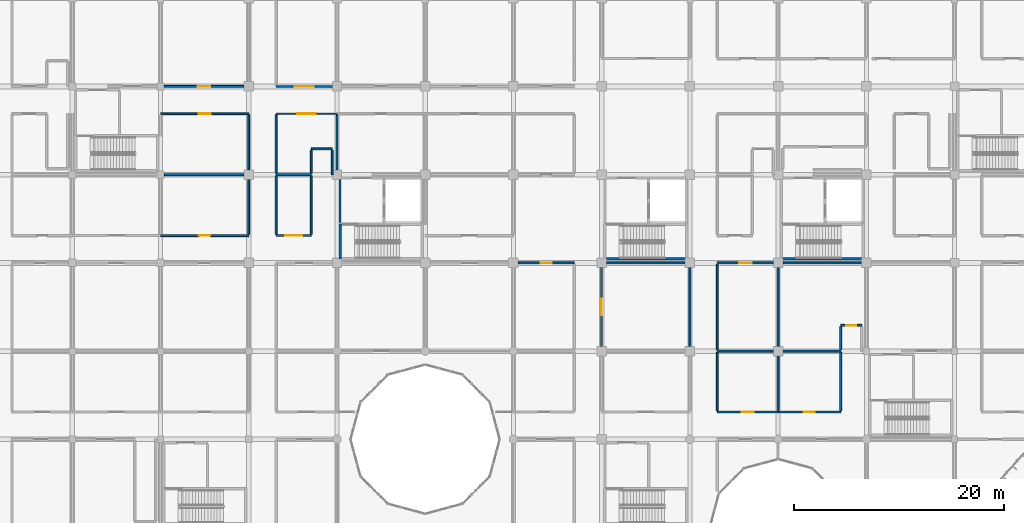
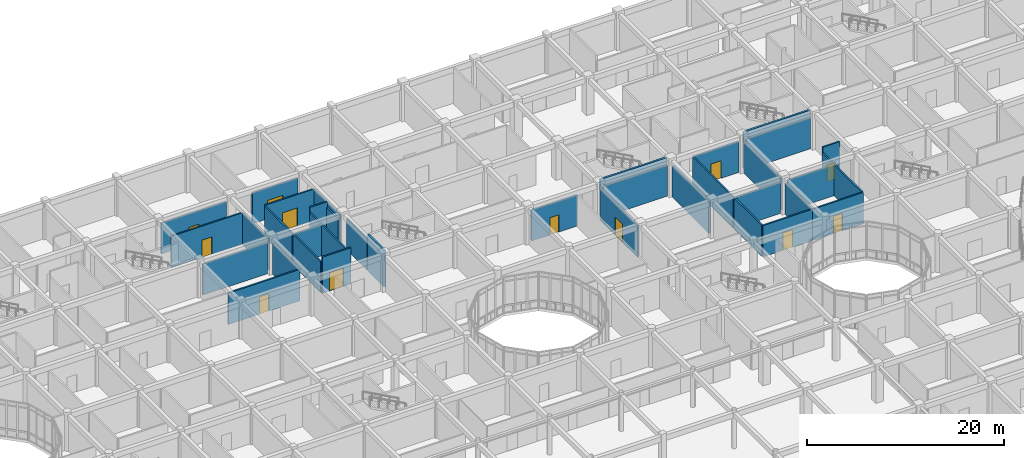
# One storey, part 104 of 138: 38 walls, 12 doors, 12 openings.
"""IFC4 building model written with IfcOpenShell, lengths in metres."""

from ifc_helpers import new_model, si_unit, direction, frame, frame_2d, origin, place, context, subcontext, project, spatial, rectangle, extrude, material, layer, layer_set, type_object, element, fill, save


model = new_model("IFC4")

# Units and contexts
model_context = context("Model", 3, precision=1e-05, world=origin(), true_north=direction((0.0, 1.0)))
body_context = subcontext(model_context, "Body", "Model", "MODEL_VIEW")
ifc_project = project(units=[si_unit("LENGTHUNIT", "METRE"), si_unit("AREAUNIT", "SQUARE_METRE"), si_unit("VOLUMEUNIT", "CUBIC_METRE"), si_unit("PLANEANGLEUNIT", "RADIAN"), si_unit("MASSUNIT", "GRAM", prefix="KILO")], contexts=[model_context])

# Site, building, storey
site_placement = place(None, origin())
site = spatial("IfcSite", under=ifc_project, at=site_placement, CompositionType="ELEMENT")
building_placement = place(site_placement, origin())
building = spatial("IfcBuilding", under=site, at=building_placement, Name="Bramfleet General Hospital", CompositionType="ELEMENT")
storey_placement = place(building_placement, origin())
storey = spatial("IfcBuildingStorey", under=building, at=storey_placement, Name="L00", CompositionType="ELEMENT", Elevation=0.0)

# Wall
ifc_material_1 = material(Name="Concrete C35/45", Category="concrete")
ifc_layer_1 = layer(ifc_material_1, 0.205078125, Name="WT-IW-02")
ifc_layer_set_1 = layer_set([ifc_layer_1], Name="Concrete C35/45")
wall_type_1 = type_object("IfcWallType", Name="WT-IW-02", PredefinedType="PARTITIONING", material=ifc_layer_set_1)
wall_1_placement = place(storey_placement, frame((75.89990234375, 96.239990234375, 0.0), z_axis=(0.0, 0.0, 1.0), x_axis=(0.0, 1.0, 0.0)))
element("IfcWall", 1, at=wall_1_placement, inside=storey, type_object=wall_type_1, Name="L00 C5 Lobby West Compartment Wall", PredefinedType="PARTITIONING", context=body_context, shape_type="SweptSolid", body=[
    extrude(rectangle(XDim=4.1201171875, YDim=0.205078125, at=frame_2d((2.06005859375, 0.0))), origin(), (0.0, 0.0, 1.0), 3.889892578125),
])

# Wall, opening, door
ifc_layer_2 = layer(ifc_material_1, 0.179931640625, Name="WT-IW-04")
ifc_layer_set_2 = layer_set([ifc_layer_2], Name="Concrete C35/45")
wall_type_2 = type_object("IfcWallType", Name="WT-IW-04", PredefinedType="PARTITIONING", material=ifc_layer_set_2)
wall_2_placement = place(storey_placement, frame((111.800048828125, 78.199951171875, 0.0), z_axis=(0.0, 0.0, 1.0), x_axis=(1.0, 0.0, 0.0)))
wall_2 = element("IfcWall", 2, at=wall_2_placement, inside=storey, type_object=wall_type_2, Name="L00 Interior Partition IW-L00-0777", PredefinedType="PARTITIONING", context=body_context, shape_type="SweptSolid", body=[
    extrude(rectangle(XDim=5.800048828125, YDim=0.179931640625, at=frame_2d((2.89990234375, 0.0))), origin(), (0.0, 0.0, 1.0), 3.889892578125),
])
opening_1_placement = place(wall_2_placement, frame((2.340087890625, 0.0, 0.0)))
opening_1 = element("IfcOpeningElement", 3, at=opening_1_placement, cuts=wall_2, Name="Opening D0539", PredefinedType="OPENING", context=body_context, shape_type="SweptSolid", body=[
    extrude(rectangle(XDim=1.1201171875, YDim=2.179931640625, at=frame_2d((0.56005859375, 1.08984375))), frame((0.0, 0.099853515625, 0.0), z_axis=(0.0, -1.0, 0.0), x_axis=(1.0, 0.0, 0.0)), (0.0, 0.0, 1.0), 0.199951171875),
])
ifc_material_2 = material(Name="Stainless steel and acoustic timber leaf", Category="steel")
door_type_1 = type_object("IfcDoorType", Name="DR-D-27", OperationType="NOTDEFINED", PredefinedType="DOOR", material=ifc_material_2)
door_1_placement = place(opening_1_placement, origin())
door_1 = element("IfcDoor", 4, at=door_1_placement, inside=storey, type_object=door_type_1, Name="Diagnostic Ultrasound and Fluoroscopy 1309 Door D0539", OperationType="SINGLE_SWING_RIGHT", OverallHeight=2.179931640625, OverallWidth=1.1201171875, PredefinedType="DOOR", context=body_context, shape_type="SweptSolid", body=[
    extrude(rectangle(XDim=1.1201171875, YDim=2.179931640625, at=frame_2d((0.56005859375, 1.08984375))), frame((0.0, 0.02490234375, 0.0), z_axis=(0.0, -1.0, 0.0), x_axis=(1.0, 0.0, 0.0)), (0.0, 0.0, 1.0), 0.050048828125),
])
fill(opening_1, door_1)

wall_3_placement = place(storey_placement, frame((117.60009765625, 78.199951171875, 0.0), z_axis=(0.0, 0.0, 1.0), x_axis=(1.0, 0.0, 0.0)))
wall_3 = element("IfcWall", 5, at=wall_3_placement, inside=storey, type_object=wall_type_2, Name="L00 Interior Partition IW-L00-0778", PredefinedType="PARTITIONING", context=body_context, shape_type="SweptSolid", body=[
    extrude(rectangle(XDim=5.949951171875, YDim=0.179931640625, at=frame_2d((2.97509765625, 0.0))), origin(), (0.0, 0.0, 1.0), 3.889892578125),
])
opening_2_placement = place(wall_3_placement, frame((2.449951171875, 0.0, 0.0)))
opening_2 = element("IfcOpeningElement", 6, at=opening_2_placement, cuts=wall_3, Name="Opening D0553", PredefinedType="OPENING", context=body_context, shape_type="SweptSolid", body=[
    extrude(rectangle(XDim=1.050048828125, YDim=2.14990234375, at=frame_2d((0.52490234375, 1.074951171875))), frame((0.0, 0.099853515625, 0.0), z_axis=(0.0, -1.0, 0.0), x_axis=(1.0, 0.0, 0.0)), (0.0, 0.0, 1.0), 0.199951171875),
])
door_type_2 = type_object("IfcDoorType", Name="DR-D-09", OperationType="NOTDEFINED", PredefinedType="DOOR", material=ifc_material_2)
door_2_placement = place(opening_2_placement, origin())
door_2 = element("IfcDoor", 7, at=door_2_placement, inside=storey, type_object=door_type_2, Name="Diagnostic Ultrasound and Fluoroscopy 1409 Door D0553", OperationType="SINGLE_SWING_RIGHT", OverallHeight=2.14990234375, OverallWidth=1.050048828125, PredefinedType="DOOR", context=body_context, shape_type="SweptSolid", body=[
    extrude(rectangle(XDim=1.050048828125, YDim=2.14990234375, at=frame_2d((0.52490234375, 1.074951171875))), frame((0.0, 0.02490234375, 0.0), z_axis=(0.0, -1.0, 0.0), x_axis=(1.0, 0.0, 0.0)), (0.0, 0.0, 1.0), 0.050048828125),
])
fill(opening_2, door_2)

# Walls
wall_4_placement = place(storey_placement, frame((111.800048828125, 84.0, 0.0), z_axis=(0.0, 0.0, 1.0), x_axis=(1.0, 0.0, 0.0)))
element("IfcWall", 8, at=wall_4_placement, inside=storey, type_object=wall_type_2, Name="L00 Interior Partition IW-L00-0794", PredefinedType="PARTITIONING", context=body_context, shape_type="SweptSolid", body=[
    extrude(rectangle(XDim=5.35498046875, YDim=0.179931640625, at=frame_2d((2.677490234375, 0.0))), origin(), (0.0, 0.0, 1.0), 3.840087890625),
])
wall_5_placement = place(storey_placement, frame((118.044921875, 84.0, 0.0), z_axis=(0.0, 0.0, 1.0), x_axis=(1.0, 0.0, 0.0)))
element("IfcWall", 9, at=wall_5_placement, inside=storey, type_object=wall_type_2, Name="L00 Interior Partition IW-L00-0795", PredefinedType="PARTITIONING", context=body_context, shape_type="SweptSolid", body=[
    extrude(rectangle(XDim=5.505126953125, YDim=0.179931640625, at=frame_2d((2.75244140625, 0.0))), origin(), (0.0, 0.0, 1.0), 3.840087890625),
])

# Wall, opening, door
wall_6_placement = place(storey_placement, frame((123.550048828125, 86.449951171875, 0.0), z_axis=(0.0, 0.0, 1.0), x_axis=(1.0, 0.0, 0.0)))
wall_6 = element("IfcWall", 10, at=wall_6_placement, inside=storey, type_object=wall_type_2, Name="L00 Interior Partition IW-L00-0799", PredefinedType="PARTITIONING", context=body_context, shape_type="SweptSolid", body=[
    extrude(rectangle(XDim=2.0, YDim=0.179931640625, at=frame_2d((1.0, 0.0))), origin(), (0.0, 0.0, 1.0), 4.489990234375),
])
opening_3_placement = place(wall_6_placement, frame((0.52490234375, 0.0, 0.0)))
opening_3 = element("IfcOpeningElement", 11, at=opening_3_placement, cuts=wall_6, Name="Opening D0554", PredefinedType="OPENING", context=body_context, shape_type="SweptSolid", body=[
    extrude(rectangle(XDim=0.949951171875, YDim=2.10009765625, at=frame_2d((0.47509765625, 1.050048828125))), frame((0.0, 0.099853515625, 0.0), z_axis=(0.0, -1.0, 0.0), x_axis=(1.0, 0.0, 0.0)), (0.0, 0.0, 1.0), 0.199951171875),
])
door_type_3 = type_object("IfcDoorType", Name="DR-D-10", OperationType="NOTDEFINED", PredefinedType="DOOR", material=ifc_material_2)
door_3_placement = place(opening_3_placement, origin())
door_3 = element("IfcDoor", 12, at=door_3_placement, inside=storey, type_object=door_type_3, Name="Diagnostic Ultrasound and Fluoroscopy 1410 Door D0554", OperationType="SINGLE_SWING_LEFT", OverallHeight=2.10009765625, OverallWidth=0.949951171875, PredefinedType="DOOR", context=body_context, shape_type="SweptSolid", body=[
    extrude(rectangle(XDim=0.949951171875, YDim=2.10009765625, at=frame_2d((0.47509765625, 1.050048828125))), frame((0.0, 0.02490234375, 0.0), z_axis=(0.0, -1.0, 0.0), x_axis=(1.0, 0.0, 0.0)), (0.0, 0.0, 1.0), 0.050048828125),
])
fill(opening_3, door_3)

wall_7_placement = place(storey_placement, frame((92.844970703125, 92.39990234375, 0.0), z_axis=(0.0, 0.0, 1.0), x_axis=(1.0, 0.0, 0.0)))
wall_7 = element("IfcWall", 13, at=wall_7_placement, inside=storey, type_object=wall_type_2, Name="L00 Interior Partition IW-L00-0811", PredefinedType="PARTITIONING", context=body_context, shape_type="SweptSolid", body=[
    extrude(rectangle(XDim=5.35498046875, YDim=0.179931640625, at=frame_2d((2.677490234375, 0.0))), origin(), (0.0, 0.0, 1.0), 3.840087890625),
])
opening_4_placement = place(wall_7_placement, frame((2.152587890625, 0.0, 0.0)))
opening_4 = element("IfcOpeningElement", 14, at=opening_4_placement, cuts=wall_7, Name="Opening D0521", PredefinedType="OPENING", context=body_context, shape_type="SweptSolid", body=[
    extrude(rectangle(XDim=1.050048828125, YDim=2.14990234375, at=frame_2d((0.52490234375, 1.074951171875))), frame((0.0, 0.099853515625, 0.0), z_axis=(0.0, -1.0, 0.0), x_axis=(1.0, 0.0, 0.0)), (0.0, 0.0, 1.0), 0.199951171875),
])
door_4_placement = place(opening_4_placement, origin())
door_4 = element("IfcDoor", 15, at=door_4_placement, inside=storey, type_object=door_type_2, Name="Diagnostic Ultrasound and Fluoroscopy 1110 Door D0521", OperationType="SINGLE_SWING_RIGHT", OverallHeight=2.14990234375, OverallWidth=1.050048828125, PredefinedType="DOOR", context=body_context, shape_type="SweptSolid", body=[
    extrude(rectangle(XDim=1.050048828125, YDim=2.14990234375, at=frame_2d((0.52490234375, 1.074951171875))), frame((0.0, 0.02490234375, 0.0), z_axis=(0.0, -1.0, 0.0), x_axis=(1.0, 0.0, 0.0)), (0.0, 0.0, 1.0), 0.050048828125),
])
fill(opening_4, door_4)

# Wall
wall_8_placement = place(storey_placement, frame((101.2451171875, 92.39990234375, 0.0), z_axis=(0.0, 0.0, 1.0), x_axis=(1.0, 0.0, 0.0)))
element("IfcWall", 16, at=wall_8_placement, inside=storey, type_object=wall_type_2, Name="L00 Interior Partition IW-L00-0812", PredefinedType="PARTITIONING", context=body_context, shape_type="SweptSolid", body=[
    extrude(rectangle(XDim=7.509765625, YDim=0.179931640625, at=frame_2d((3.7548828125, 0.0))), origin(), (0.0, 0.0, 1.0), 3.840087890625),
])

# Wall, opening, door
wall_9_placement = place(storey_placement, frame((111.800048828125, 92.39990234375, 0.0), z_axis=(0.0, 0.0, 1.0), x_axis=(1.0, 0.0, 0.0)))
wall_9 = element("IfcWall", 17, at=wall_9_placement, inside=storey, type_object=wall_type_2, Name="L00 Interior Partition IW-L00-0813", PredefinedType="PARTITIONING", context=body_context, shape_type="SweptSolid", body=[
    extrude(rectangle(XDim=5.35498046875, YDim=0.179931640625, at=frame_2d((2.677490234375, 0.0))), origin(), (0.0, 0.0, 1.0), 3.840087890625),
])
opening_5_placement = place(wall_9_placement, frame((2.08740234375, 0.0, 0.0)))
opening_5 = element("IfcOpeningElement", 18, at=opening_5_placement, cuts=wall_9, Name="Opening D0540", PredefinedType="OPENING", context=body_context, shape_type="SweptSolid", body=[
    extrude(rectangle(XDim=1.179931640625, YDim=2.179931640625, at=frame_2d((0.58984375, 1.08984375))), frame((0.0, 0.099853515625, 0.0), z_axis=(0.0, -1.0, 0.0), x_axis=(1.0, 0.0, 0.0)), (0.0, 0.0, 1.0), 0.199951171875),
])
door_type_4 = type_object("IfcDoorType", Name="DR-D-28", OperationType="NOTDEFINED", PredefinedType="DOOR", material=ifc_material_2)
door_5_placement = place(opening_5_placement, origin())
door_5 = element("IfcDoor", 19, at=door_5_placement, inside=storey, type_object=door_type_4, Name="Diagnostic Ultrasound and Fluoroscopy 1310 Door D0540", OperationType="SINGLE_SWING_LEFT", OverallHeight=2.179931640625, OverallWidth=1.179931640625, PredefinedType="DOOR", context=body_context, shape_type="SweptSolid", body=[
    extrude(rectangle(XDim=1.179931640625, YDim=2.179931640625, at=frame_2d((0.58984375, 1.08984375))), frame((0.0, 0.02490234375, 0.0), z_axis=(0.0, -1.0, 0.0), x_axis=(1.0, 0.0, 0.0)), (0.0, 0.0, 1.0), 0.050048828125),
])
fill(opening_5, door_5)

# Wall
wall_10_placement = place(storey_placement, frame((118.044921875, 92.39990234375, 0.0), z_axis=(0.0, 0.0, 1.0), x_axis=(1.0, 0.0, 0.0)))
element("IfcWall", 20, at=wall_10_placement, inside=storey, type_object=wall_type_2, Name="L00 Interior Partition IW-L00-0814", PredefinedType="PARTITIONING", context=body_context, shape_type="SweptSolid", body=[
    extrude(rectangle(XDim=7.510009765625, YDim=0.179931640625, at=frame_2d((3.7548828125, 0.0))), origin(), (0.0, 0.0, 1.0), 3.840087890625),
])

# Wall, opening, door
wall_11_placement = place(storey_placement, frame((58.800048828125, 95.0, 0.0), z_axis=(0.0, 0.0, 1.0), x_axis=(1.0, 0.0, 0.0)))
wall_11 = element("IfcWall", 21, at=wall_11_placement, inside=storey, type_object=wall_type_2, Name="L00 Interior Partition IW-L00-0827", PredefinedType="PARTITIONING", context=body_context, shape_type="SweptSolid", body=[
    extrude(rectangle(XDim=8.39990234375, YDim=0.179931640625, at=frame_2d((4.199951171875, 0.0))), origin(), (0.0, 0.0, 1.0), 3.889892578125),
])
opening_6_placement = place(wall_11_placement, frame((3.64990234375, 0.0, 0.0)))
opening_6 = element("IfcOpeningElement", 22, at=opening_6_placement, cuts=wall_11, Name="Opening D0491", PredefinedType="OPENING", context=body_context, shape_type="SweptSolid", body=[
    extrude(rectangle(XDim=1.10009765625, YDim=2.14990234375, at=frame_2d((0.550048828125, 1.074951171875))), frame((0.0, 0.099853515625, 0.0), z_axis=(0.0, -1.0, 0.0), x_axis=(1.0, 0.0, 0.0)), (0.0, 0.0, 1.0), 0.199951171875),
])
door_type_5 = type_object("IfcDoorType", Name="DR-D-11", OperationType="NOTDEFINED", PredefinedType="DOOR", material=ifc_material_2)
door_6_placement = place(opening_6_placement, origin())
door_6 = element("IfcDoor", 23, at=door_6_placement, inside=storey, type_object=door_type_5, Name="Diagnostic Ultrasound and Fluoroscopy 0711 Door D0491", OperationType="SINGLE_SWING_RIGHT", OverallHeight=2.14990234375, OverallWidth=1.10009765625, PredefinedType="DOOR", context=body_context, shape_type="SweptSolid", body=[
    extrude(rectangle(XDim=1.10009765625, YDim=2.14990234375, at=frame_2d((0.550048828125, 1.074951171875))), frame((0.0, 0.02490234375, 0.0), z_axis=(0.0, -1.0, 0.0), x_axis=(1.0, 0.0, 0.0)), (0.0, 0.0, 1.0), 0.050048828125),
])
fill(opening_6, door_6)

wall_12_placement = place(storey_placement, frame((69.800048828125, 95.0, 0.0), z_axis=(0.0, 0.0, 1.0), x_axis=(1.0, 0.0, 0.0)))
wall_12 = element("IfcWall", 24, at=wall_12_placement, inside=storey, type_object=wall_type_2, Name="L00 Interior Partition IW-L00-0828", PredefinedType="PARTITIONING", context=body_context, shape_type="SweptSolid", body=[
    extrude(rectangle(XDim=3.349853515625, YDim=0.179931640625, at=frame_2d((1.6748046875, 0.0))), origin(), (0.0, 0.0, 1.0), 4.489990234375),
])
opening_7_placement = place(wall_12_placement, frame((0.85498046875, 0.0, 0.0)))
opening_7 = element("IfcOpeningElement", 25, at=opening_7_placement, cuts=wall_12, Name="Opening D0498", PredefinedType="OPENING", context=body_context, shape_type="SweptSolid", body=[
    extrude(rectangle(XDim=1.639892578125, YDim=2.280029296875, at=frame_2d((0.81982421875, 1.14013671875))), frame((0.0, 0.099853515625, 0.0), z_axis=(0.0, -1.0, 0.0), x_axis=(1.0, 0.0, 0.0)), (0.0, 0.0, 1.0), 0.199951171875),
])
door_type_6 = type_object("IfcDoorType", Name="DR-D-18", OperationType="NOTDEFINED", PredefinedType="DOOR", material=ifc_material_2)
door_7_placement = place(opening_7_placement, origin())
door_7 = element("IfcDoor", 26, at=door_7_placement, inside=storey, type_object=door_type_6, Name="Diagnostic Ultrasound and Fluoroscopy 0811 Door D0498", OperationType="DOUBLE_SWING_LEFT", OverallHeight=2.280029296875, OverallWidth=1.639892578125, PredefinedType="DOOR", context=body_context, shape_type="SweptSolid", body=[
    extrude(rectangle(XDim=1.639892578125, YDim=2.280029296875, at=frame_2d((0.81982421875, 1.14013671875))), frame((0.0, 0.02490234375, 0.0), z_axis=(0.0, -1.0, 0.0), x_axis=(1.0, 0.0, 0.0)), (0.0, 0.0, 1.0), 0.050048828125),
])
fill(opening_7, door_7)

# Walls
wall_13_placement = place(storey_placement, frame((59.14501953125, 100.800048828125, 0.0), z_axis=(0.0, 0.0, 1.0), x_axis=(1.0, 0.0, 0.0)))
element("IfcWall", 27, at=wall_13_placement, inside=storey, type_object=wall_type_2, Name="L00 Interior Partition IW-L00-0846", PredefinedType="PARTITIONING", context=body_context, shape_type="SweptSolid", body=[
    extrude(rectangle(XDim=7.60986328125, YDim=0.179931640625, at=frame_2d((3.804931640625, 0.0))), origin(), (0.0, 0.0, 1.0), 3.840087890625),
])
wall_14_placement = place(storey_placement, frame((69.800048828125, 100.800048828125, 0.0), z_axis=(0.0, 0.0, 1.0), x_axis=(1.0, 0.0, 0.0)))
element("IfcWall", 28, at=wall_14_placement, inside=storey, type_object=wall_type_2, Name="L00 Interior Partition IW-L00-0847", PredefinedType="PARTITIONING", context=body_context, shape_type="SweptSolid", body=[
    extrude(rectangle(XDim=3.349853515625, YDim=0.179931640625, at=frame_2d((1.6748046875, 0.0))), origin(), (0.0, 0.0, 1.0), 3.840087890625),
])
wall_15_placement = place(storey_placement, frame((73.14990234375, 103.25, 0.0), z_axis=(0.0, 0.0, 1.0), x_axis=(1.0, 0.0, 0.0)))
element("IfcWall", 29, at=wall_15_placement, inside=storey, type_object=wall_type_2, Name="L00 Interior Partition IW-L00-0864", PredefinedType="PARTITIONING", context=body_context, shape_type="SweptSolid", body=[
    extrude(rectangle(XDim=2.0, YDim=0.179931640625, at=frame_2d((1.0, 0.0))), origin(), (0.0, 0.0, 1.0), 4.489990234375),
])

# Wall, opening, door
wall_16_placement = place(storey_placement, frame((58.800048828125, 106.60009765625, 0.0), z_axis=(0.0, 0.0, 1.0), x_axis=(1.0, 0.0, 0.0)))
wall_16 = element("IfcWall", 30, at=wall_16_placement, inside=storey, type_object=wall_type_2, Name="L00 Interior Partition IW-L00-0872", PredefinedType="PARTITIONING", context=body_context, shape_type="SweptSolid", body=[
    extrude(rectangle(XDim=8.39990234375, YDim=0.179931640625, at=frame_2d((4.199951171875, 0.0))), origin(), (0.0, 0.0, 1.0), 3.889892578125),
])
opening_8_placement = place(wall_16_placement, frame((3.625, 0.0, 0.0)))
opening_8 = element("IfcOpeningElement", 31, at=opening_8_placement, cuts=wall_16, Name="Opening D0492", PredefinedType="OPENING", context=body_context, shape_type="SweptSolid", body=[
    extrude(rectangle(XDim=1.14990234375, YDim=2.14990234375, at=frame_2d((0.574951171875, 1.074951171875))), frame((0.0, 0.099853515625, 0.0), z_axis=(0.0, -1.0, 0.0), x_axis=(1.0, 0.0, 0.0)), (0.0, 0.0, 1.0), 0.199951171875),
])
door_type_7 = type_object("IfcDoorType", Name="DR-D-12", OperationType="NOTDEFINED", PredefinedType="DOOR", material=ifc_material_2)
door_8_placement = place(opening_8_placement, origin())
door_8 = element("IfcDoor", 32, at=door_8_placement, inside=storey, type_object=door_type_7, Name="Diagnostic Ultrasound and Fluoroscopy 0712 Door D0492", OperationType="SINGLE_SWING_LEFT", OverallHeight=2.14990234375, OverallWidth=1.14990234375, PredefinedType="DOOR", context=body_context, shape_type="SweptSolid", body=[
    extrude(rectangle(XDim=1.14990234375, YDim=2.14990234375, at=frame_2d((0.574951171875, 1.074951171875))), frame((0.0, 0.02490234375, 0.0), z_axis=(0.0, -1.0, 0.0), x_axis=(1.0, 0.0, 0.0)), (0.0, 0.0, 1.0), 0.050048828125),
])
fill(opening_8, door_8)

wall_17_placement = place(storey_placement, frame((69.800048828125, 106.60009765625, 0.0), z_axis=(0.0, 0.0, 1.0), x_axis=(1.0, 0.0, 0.0)))
wall_17 = element("IfcWall", 33, at=wall_17_placement, inside=storey, type_object=wall_type_2, Name="L00 Interior Partition IW-L00-0873", PredefinedType="PARTITIONING", context=body_context, shape_type="SweptSolid", body=[
    extrude(rectangle(XDim=5.800048828125, YDim=0.179931640625, at=frame_2d((2.89990234375, 0.0))), origin(), (0.0, 0.0, 1.0), 3.889892578125),
])
opening_9_placement = place(wall_17_placement, frame((2.030029296875, 0.0, 0.0)))
opening_9 = element("IfcOpeningElement", 34, at=opening_9_placement, cuts=wall_17, Name="Opening D0499", PredefinedType="OPENING", context=body_context, shape_type="SweptSolid", body=[
    extrude(rectangle(XDim=1.739990234375, YDim=2.239990234375, at=frame_2d((0.8701171875, 1.1201171875))), frame((0.0, 0.099853515625, 0.0), z_axis=(0.0, -1.0, 0.0), x_axis=(1.0, 0.0, 0.0)), (0.0, 0.0, 1.0), 0.199951171875),
])
door_type_8 = type_object("IfcDoorType", Name="DR-D-19", OperationType="NOTDEFINED", PredefinedType="DOOR", material=ifc_material_2)
door_9_placement = place(opening_9_placement, origin())
door_9 = element("IfcDoor", 35, at=door_9_placement, inside=storey, type_object=door_type_8, Name="Diagnostic Ultrasound and Fluoroscopy 0812 Door D0499", OperationType="DOUBLE_SWING_RIGHT", OverallHeight=2.239990234375, OverallWidth=1.739990234375, PredefinedType="DOOR", context=body_context, shape_type="SweptSolid", body=[
    extrude(rectangle(XDim=1.739990234375, YDim=2.239990234375, at=frame_2d((0.8701171875, 1.1201171875))), frame((0.0, 0.02490234375, 0.0), z_axis=(0.0, -1.0, 0.0), x_axis=(1.0, 0.0, 0.0)), (0.0, 0.0, 1.0), 0.050048828125),
])
fill(opening_9, door_9)

wall_18_placement = place(storey_placement, frame((59.14501953125, 109.199951171875, 0.0), z_axis=(0.0, 0.0, 1.0), x_axis=(1.0, 0.0, 0.0)))
wall_18 = element("IfcWall", 36, at=wall_18_placement, inside=storey, type_object=wall_type_2, Name="L00 Interior Partition IW-L00-0892", PredefinedType="PARTITIONING", context=body_context, shape_type="SweptSolid", body=[
    extrude(rectangle(XDim=7.60986328125, YDim=0.179931640625, at=frame_2d((3.804931640625, 0.0))), origin(), (0.0, 0.0, 1.0), 3.840087890625),
])
opening_10_placement = place(wall_18_placement, frame((3.205078125, 0.0, 0.0)))
opening_10 = element("IfcOpeningElement", 37, at=opening_10_placement, cuts=wall_18, Name="Opening D0493", PredefinedType="OPENING", context=body_context, shape_type="SweptSolid", body=[
    extrude(rectangle(XDim=1.199951171875, YDim=2.14990234375, at=frame_2d((0.60009765625, 1.074951171875))), frame((0.0, 0.099853515625, 0.0), z_axis=(0.0, -1.0, 0.0), x_axis=(1.0, 0.0, 0.0)), (0.0, 0.0, 1.0), 0.199951171875),
])
door_type_9 = type_object("IfcDoorType", Name="DR-D-13", OperationType="NOTDEFINED", PredefinedType="DOOR", material=ifc_material_2)
door_10_placement = place(opening_10_placement, origin())
door_10 = element("IfcDoor", 38, at=door_10_placement, inside=storey, type_object=door_type_9, Name="Diagnostic Ultrasound and Fluoroscopy 0713 Door D0493", OperationType="SINGLE_SWING_RIGHT", OverallHeight=2.14990234375, OverallWidth=1.199951171875, PredefinedType="DOOR", context=body_context, shape_type="SweptSolid", body=[
    extrude(rectangle(XDim=1.199951171875, YDim=2.14990234375, at=frame_2d((0.60009765625, 1.074951171875))), frame((0.0, 0.02490234375, 0.0), z_axis=(0.0, -1.0, 0.0), x_axis=(1.0, 0.0, 0.0)), (0.0, 0.0, 1.0), 0.050048828125),
])
fill(opening_10, door_10)

wall_19_placement = place(storey_placement, frame((69.800048828125, 109.199951171875, 0.0), z_axis=(0.0, 0.0, 1.0), x_axis=(1.0, 0.0, 0.0)))
wall_19 = element("IfcWall", 39, at=wall_19_placement, inside=storey, type_object=wall_type_2, Name="L00 Interior Partition IW-L00-0893", PredefinedType="PARTITIONING", context=body_context, shape_type="SweptSolid", body=[
    extrude(rectangle(XDim=5.35498046875, YDim=0.179931640625, at=frame_2d((2.677490234375, 0.0))), origin(), (0.0, 0.0, 1.0), 3.840087890625),
])
opening_11_placement = place(wall_19_placement, frame((1.757568359375, 0.0, 0.0)))
opening_11 = element("IfcOpeningElement", 40, at=opening_11_placement, cuts=wall_19, Name="Opening D0500", PredefinedType="OPENING", context=body_context, shape_type="SweptSolid", body=[
    extrude(rectangle(XDim=1.840087890625, YDim=2.280029296875, at=frame_2d((0.919921875, 1.14013671875))), frame((0.0, 0.099853515625, 0.0), z_axis=(0.0, -1.0, 0.0), x_axis=(1.0, 0.0, 0.0)), (0.0, 0.0, 1.0), 0.199951171875),
])
door_type_10 = type_object("IfcDoorType", Name="DR-D-20", OperationType="NOTDEFINED", PredefinedType="DOOR", material=ifc_material_2)
door_11_placement = place(opening_11_placement, origin())
door_11 = element("IfcDoor", 41, at=door_11_placement, inside=storey, type_object=door_type_10, Name="Diagnostic Ultrasound and Fluoroscopy 0813 Door D0500", OperationType="DOUBLE_SWING_LEFT", OverallHeight=2.280029296875, OverallWidth=1.840087890625, PredefinedType="DOOR", context=body_context, shape_type="SweptSolid", body=[
    extrude(rectangle(XDim=1.840087890625, YDim=2.280029296875, at=frame_2d((0.919921875, 1.14013671875))), frame((0.0, 0.02490234375, 0.0), z_axis=(0.0, -1.0, 0.0), x_axis=(1.0, 0.0, 0.0)), (0.0, 0.0, 1.0), 0.050048828125),
])
fill(opening_11, door_11)

# Walls
for number, where, z_axis, x_axis, name in (
    (42, (67.199951171875, 95.114990234375, 0.0), (0.0, 0.0, 1.0), (0.0, 1.0, 0.0), "L00 Interior Partition IW-L00-1041"),
    (43, (67.199951171875, 101.2451171875, 0.0), (0.0, 0.0, 1.0), (0.0, 1.0, 0.0), "L00 Interior Partition IW-L00-1042"),
):
    element("IfcWall", number, at=place(storey_placement, frame(where, z_axis=z_axis, x_axis=x_axis)), inside=storey, type_object=wall_type_2, Name=name, PredefinedType="PARTITIONING", context=body_context, shape_type="SweptSolid", body=[
        extrude(rectangle(XDim=5.239990234375, YDim=0.179931640625, at=frame_2d((2.6201171875, 0.0))), origin(), (0.0, 0.0, 1.0), 3.889892578125),
    ])
for number, where, z_axis, x_axis, name in (
    (44, (69.800048828125, 95.114990234375, 0.0), (0.0, 0.0, 1.0), (0.0, 1.0, 0.0), "L00 Interior Partition IW-L00-1048"),
    (45, (69.800048828125, 100.9150390625, 0.0), (0.0, 0.0, 1.0), (0.0, 1.0, 0.0), "L00 Interior Partition IW-L00-1049"),
    (46, (73.14990234375, 95.114990234375, 0.0), (0.0, 0.0, 1.0), (0.0, 1.0, 0.0), "L00 Interior Partition IW-L00-1051"),
):
    element("IfcWall", number, at=place(storey_placement, frame(where, z_axis=z_axis, x_axis=x_axis)), inside=storey, type_object=wall_type_2, Name=name, PredefinedType="PARTITIONING", context=body_context, shape_type="SweptSolid", body=[
        extrude(rectangle(XDim=5.570068359375, YDim=0.179931640625, at=frame_2d((2.78515625, 0.0))), origin(), (0.0, 0.0, 1.0), 3.840087890625),
    ])
wall_20_placement = place(storey_placement, frame((73.14990234375, 100.9150390625, 0.0), z_axis=(0.0, 0.0, 1.0), x_axis=(0.0, 1.0, 0.0)))
element("IfcWall", 47, at=wall_20_placement, inside=storey, type_object=wall_type_2, Name="L00 Interior Partition IW-L00-1052", PredefinedType="PARTITIONING", context=body_context, shape_type="SweptSolid", body=[
    extrude(rectangle(XDim=2.219970703125, YDim=0.179931640625, at=frame_2d((1.10986328125, 0.0))), origin(), (0.0, 0.0, 1.0), 3.840087890625),
])
wall_21_placement = place(storey_placement, frame((75.14990234375, 100.800048828125, 0.0), z_axis=(0.0, 0.0, 1.0), x_axis=(0.0, 1.0, 0.0)))
element("IfcWall", 48, at=wall_21_placement, inside=storey, type_object=wall_type_2, Name="L00 Interior Partition IW-L00-1053", PredefinedType="PARTITIONING", context=body_context, shape_type="SweptSolid", body=[
    extrude(rectangle(XDim=2.3349609375, YDim=0.179931640625, at=frame_2d((1.16748046875, 0.0))), origin(), (0.0, 0.0, 1.0), 3.840087890625),
])
wall_22_placement = place(storey_placement, frame((75.60009765625, 101.2451171875, 0.0), z_axis=(0.0, 0.0, 1.0), x_axis=(0.0, 1.0, 0.0)))
element("IfcWall", 49, at=wall_22_placement, inside=storey, type_object=wall_type_2, Name="L00 Interior Partition IW-L00-1058", PredefinedType="PARTITIONING", context=body_context, shape_type="SweptSolid", body=[
    extrude(rectangle(XDim=5.239990234375, YDim=0.179931640625, at=frame_2d((2.6201171875, 0.0))), origin(), (0.0, 0.0, 1.0), 3.889892578125),
])

# Wall, opening, door
wall_23_placement = place(storey_placement, frame((100.800048828125, 84.445068359375, 0.0), z_axis=(0.0, 0.0, 1.0), x_axis=(0.0, 1.0, 0.0)))
wall_23 = element("IfcWall", 50, at=wall_23_placement, inside=storey, type_object=wall_type_2, Name="L00 Interior Partition IW-L00-1090", PredefinedType="PARTITIONING", context=body_context, shape_type="SweptSolid", body=[
    extrude(rectangle(XDim=7.510009765625, YDim=0.179931640625, at=frame_2d((3.7548828125, 0.0))), origin(), (0.0, 0.0, 1.0), 3.889892578125),
])
opening_12_placement = place(wall_23_placement, frame((2.985107421875, 0.0, 0.0)))
opening_12 = element("IfcOpeningElement", 51, at=opening_12_placement, cuts=wall_23, Name="Opening D0529", PredefinedType="OPENING", context=body_context, shape_type="SweptSolid", body=[
    extrude(rectangle(XDim=1.5400390625, YDim=2.239990234375, at=frame_2d((0.77001953125, 1.1201171875))), frame((0.0, 0.099853515625, 0.0), z_axis=(0.0, -1.0, 0.0), x_axis=(1.0, 0.0, 0.0)), (0.0, 0.0, 1.0), 0.199951171875),
])
door_type_11 = type_object("IfcDoorType", Name="DR-D-17", OperationType="NOTDEFINED", PredefinedType="DOOR", material=ifc_material_2)
door_12_placement = place(opening_12_placement, origin())
door_12 = element("IfcDoor", 52, at=door_12_placement, inside=storey, type_object=door_type_11, Name="Diagnostic Ultrasound and Fluoroscopy 1210 Door D0529", OperationType="SINGLE_SWING_RIGHT", OverallHeight=2.239990234375, OverallWidth=1.5400390625, PredefinedType="DOOR", context=body_context, shape_type="SweptSolid", body=[
    extrude(rectangle(XDim=1.5400390625, YDim=2.239990234375, at=frame_2d((0.77001953125, 1.1201171875))), frame((0.0, 0.02490234375, 0.0), z_axis=(0.0, -1.0, 0.0), x_axis=(1.0, 0.0, 0.0)), (0.0, 0.0, 1.0), 0.050048828125),
])
fill(opening_12, door_12)

# Walls
wall_24_placement = place(storey_placement, frame((109.199951171875, 84.445068359375, 0.0), z_axis=(0.0, 0.0, 1.0), x_axis=(0.0, 1.0, 0.0)))
element("IfcWall", 53, at=wall_24_placement, inside=storey, type_object=wall_type_2, Name="L00 Interior Partition IW-L00-1097", PredefinedType="PARTITIONING", context=body_context, shape_type="SweptSolid", body=[
    extrude(rectangle(XDim=7.510009765625, YDim=0.179931640625, at=frame_2d((3.7548828125, 0.0))), origin(), (0.0, 0.0, 1.0), 3.889892578125),
])
wall_25_placement = place(storey_placement, frame((111.800048828125, 78.31494140625, 0.0), z_axis=(0.0, 0.0, 1.0), x_axis=(0.0, 1.0, 0.0)))
element("IfcWall", 54, at=wall_25_placement, inside=storey, type_object=wall_type_2, Name="L00 Interior Partition IW-L00-1107", PredefinedType="PARTITIONING", context=body_context, shape_type="SweptSolid", body=[
    extrude(rectangle(XDim=5.570068359375, YDim=0.179931640625, at=frame_2d((2.78515625, 0.0))), origin(), (0.0, 0.0, 1.0), 3.840087890625),
])
wall_26_placement = place(storey_placement, frame((111.800048828125, 84.114990234375, 0.0), z_axis=(0.0, 0.0, 1.0), x_axis=(0.0, 1.0, 0.0)))
element("IfcWall", 55, at=wall_26_placement, inside=storey, type_object=wall_type_2, Name="L00 Interior Partition IW-L00-1108", PredefinedType="PARTITIONING", context=body_context, shape_type="SweptSolid", body=[
    extrude(rectangle(XDim=8.169921875, YDim=0.179931640625, at=frame_2d((4.0849609375, 0.0))), origin(), (0.0, 0.0, 1.0), 3.840087890625),
])
wall_27_placement = place(storey_placement, frame((117.60009765625, 78.31494140625, 0.0), z_axis=(0.0, 0.0, 1.0), x_axis=(0.0, 1.0, 0.0)))
element("IfcWall", 56, at=wall_27_placement, inside=storey, type_object=wall_type_2, Name="L00 Interior Partition IW-L00-1123", PredefinedType="PARTITIONING", context=body_context, shape_type="SweptSolid", body=[
    extrude(rectangle(XDim=5.239990234375, YDim=0.179931640625, at=frame_2d((2.6201171875, 0.0))), origin(), (0.0, 0.0, 1.0), 3.889892578125),
])
wall_28_placement = place(storey_placement, frame((117.60009765625, 84.445068359375, 0.0), z_axis=(0.0, 0.0, 1.0), x_axis=(0.0, 1.0, 0.0)))
element("IfcWall", 57, at=wall_28_placement, inside=storey, type_object=wall_type_2, Name="L00 Interior Partition IW-L00-1124", PredefinedType="PARTITIONING", context=body_context, shape_type="SweptSolid", body=[
    extrude(rectangle(XDim=7.510009765625, YDim=0.179931640625, at=frame_2d((3.7548828125, 0.0))), origin(), (0.0, 0.0, 1.0), 3.889892578125),
])
wall_29_placement = place(storey_placement, frame((123.550048828125, 78.31494140625, 0.0), z_axis=(0.0, 0.0, 1.0), x_axis=(0.0, 1.0, 0.0)))
element("IfcWall", 58, at=wall_29_placement, inside=storey, type_object=wall_type_2, Name="L00 Interior Partition IW-L00-1128", PredefinedType="PARTITIONING", context=body_context, shape_type="SweptSolid", body=[
    extrude(rectangle(XDim=5.570068359375, YDim=0.179931640625, at=frame_2d((2.78515625, 0.0))), origin(), (0.0, 0.0, 1.0), 3.840087890625),
])
wall_30_placement = place(storey_placement, frame((123.550048828125, 84.114990234375, 0.0), z_axis=(0.0, 0.0, 1.0), x_axis=(0.0, 1.0, 0.0)))
element("IfcWall", 59, at=wall_30_placement, inside=storey, type_object=wall_type_2, Name="L00 Interior Partition IW-L00-1129", PredefinedType="PARTITIONING", context=body_context, shape_type="SweptSolid", body=[
    extrude(rectangle(XDim=2.219970703125, YDim=0.179931640625, at=frame_2d((1.10986328125, 0.0))), origin(), (0.0, 0.0, 1.0), 3.840087890625),
])
ifc_material_3 = material(Name="Concrete C40/50", Category="concrete")
ifc_layer_3 = layer(ifc_material_3, 0.239990234375, Name="WT-SW-240")
ifc_layer_set_3 = layer_set([ifc_layer_3], Name="Concrete C40/50")
wall_type_3 = type_object("IfcWallType", Name="WT-SW-240", PredefinedType="SHEAR", material=ifc_layer_set_3)
wall_31_placement = place(storey_placement, frame((101.10009765625, 92.780029296875, 0.0), z_axis=(0.0, 0.0, 1.0), x_axis=(1.0, 0.0, 0.0)))
element("IfcWall", 60, at=wall_31_placement, inside=storey, type_object=wall_type_3, Name="L00 C4 South Stair Shear Wall", PredefinedType="SHEAR", context=body_context, shape_type="SweptSolid", body=[
    extrude(rectangle(XDim=7.81982421875, YDim=0.239990234375, at=frame_2d((3.909912109375, 0.0))), origin(), (0.0, 0.0, 1.0), 4.5),
])
wall_32_placement = place(storey_placement, frame((75.89990234375, 92.780029296875, 0.0), z_axis=(0.0, 0.0, 1.0), x_axis=(0.0, 1.0, 0.0)))
element("IfcWall", 61, at=wall_32_placement, inside=storey, type_object=wall_type_3, Name="L00 C5 West Stair Shear Wall", PredefinedType="SHEAR", context=body_context, shape_type="SweptSolid", body=[
    extrude(rectangle(XDim=3.320068359375, YDim=0.239990234375, at=frame_2d((1.66015625, 0.0))), origin(), (0.0, 0.0, 1.0), 4.5),
])
wall_33_placement = place(storey_placement, frame((117.89990234375, 92.780029296875, 0.0), z_axis=(0.0, 0.0, 1.0), x_axis=(1.0, 0.0, 0.0)))
element("IfcWall", 62, at=wall_33_placement, inside=storey, type_object=wall_type_3, Name="L00 C6 South Stair Shear Wall", PredefinedType="SHEAR", context=body_context, shape_type="SweptSolid", body=[
    extrude(rectangle(XDim=7.820068359375, YDim=0.239990234375, at=frame_2d((3.91015625, 0.0))), origin(), (0.0, 0.0, 1.0), 4.5),
])

save(model, "model.ifc")
